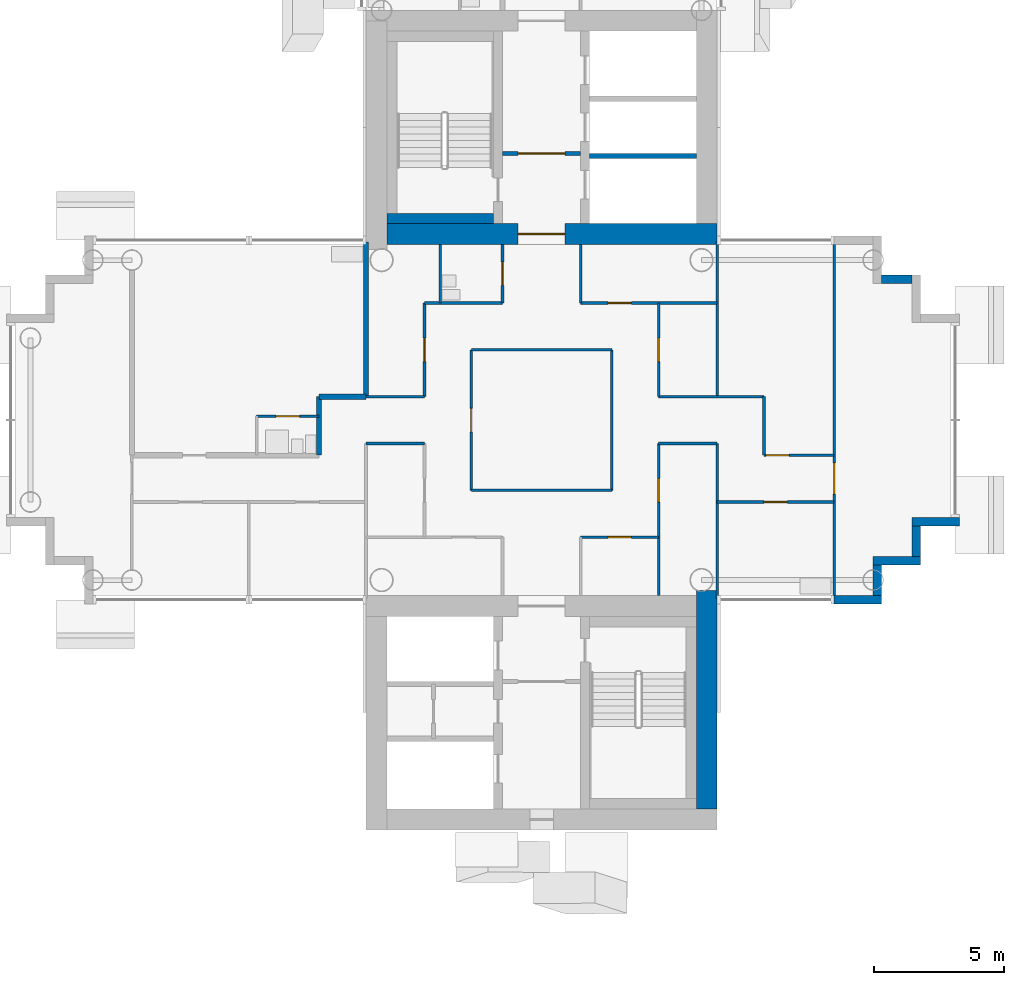
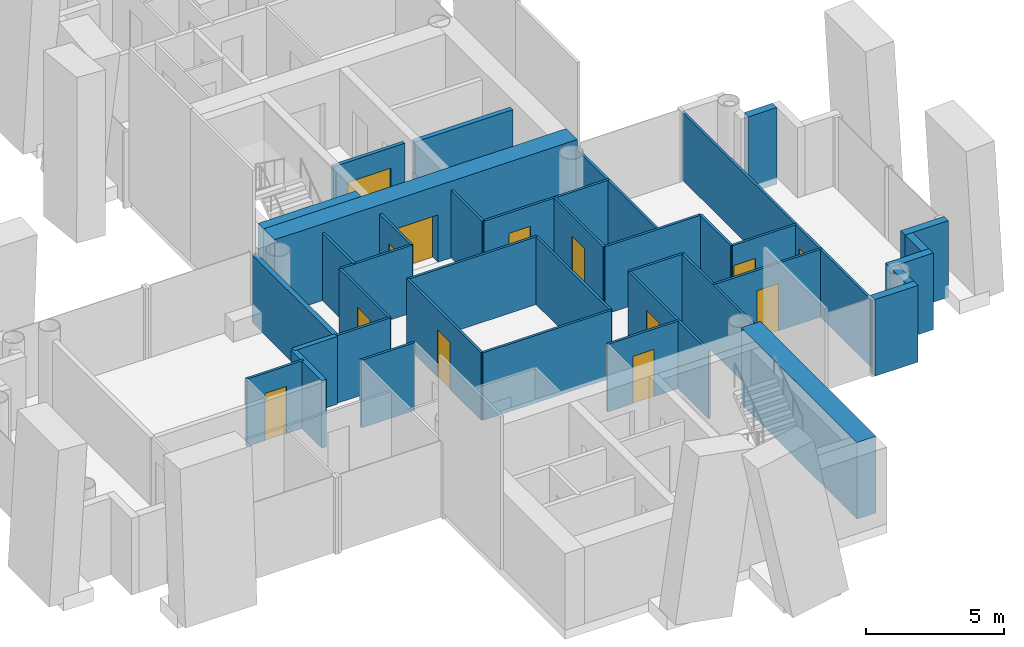
# One storey, part 10 of 18: 38 walls, 13 doors, 13 openings.
"""IFC4 building model written with IfcOpenShell, lengths in metres."""

import ifcopenshell
import ifcopenshell.guid

model = None  # the IFC model being written
_history = None  # IfcOwnerHistory: only IFC2X3 demands one
_inside = {}  # id of a spatial element -> (the spatial element, [elements in it])
_under = {}  # id of a project, library or spatial element -> (it, [spatial elements below it])
_declared = {}  # id of a project -> (the project, [libraries it declares])
_typed = {}  # id of a type object -> (the type object, [elements of that type])
_made_of = {}  # id of a material, layer set ... -> (it, [elements and type objects made of it])


def new_model(schema):
    """Start an empty IFC model of exactly this schema.

    Asked for "IFC4X3", IfcOpenShell would pick the latest addendum, in which some entities
    have other attributes; the version numbers below select the first issue.
    IFC2X3 requires an IfcOwnerHistory on every rooted entity: one is made here for all.
    """
    global model, _history
    if schema == "IFC4X3":
        model = ifcopenshell.file(schema_version=(4, 3, 0, 0))
    else:
        model = ifcopenshell.file(schema=schema)
    _inside.clear()
    _under.clear()
    _declared.clear()
    _typed.clear()
    _made_of.clear()
    _history = None
    if model.schema == "IFC2X3":
        org = make("IfcOrganization", Name="unknown")
        user = make(
            "IfcPersonAndOrganization",
            ThePerson=make("IfcPerson", FamilyName="unknown"),
            TheOrganization=org,
        )
        app = make(
            "IfcApplication",
            ApplicationDeveloper=org,
            Version="unknown",
            ApplicationFullName="unknown",
            ApplicationIdentifier="unknown",
        )
        _history = make(
            "IfcOwnerHistory",
            OwningUser=user,
            OwningApplication=app,
            ChangeAction="ADDED",
            CreationDate=0,
        )
    return model


def make(cls, **values):
    """One entity of the class cls with the attributes given. An attribute that is None is left unset."""
    return model.create_entity(
        cls, **{name: value for name, value in values.items() if value is not None}
    )


def rooted(cls, **values):
    """An entity with a GlobalId (a new one), such as an element, a storey or a relation."""
    return make(cls, GlobalId=ifcopenshell.guid.new(), OwnerHistory=_history, **values)


def si_unit(unit_type, name, prefix=None):
    """IfcSIUnit, for example si_unit("LENGTHUNIT", "METRE", prefix="MILLI")."""
    return make("IfcSIUnit", UnitType=unit_type, Prefix=prefix, Name=name)


def assignment(units):
    """IfcUnitAssignment: the units of a project."""
    return None if units is None else make("IfcUnitAssignment", Units=units)


def point(xyz):
    """IfcCartesianPoint."""
    return None if xyz is None else make("IfcCartesianPoint", Coordinates=xyz)


def direction(xyz):
    """IfcDirection."""
    return None if xyz is None else make("IfcDirection", DirectionRatios=xyz)


def frame(location, z_axis=None, x_axis=None):
    """IfcAxis2Placement3D, a coordinate frame: its origin and axes. An axis left out is left unset."""
    return make(
        "IfcAxis2Placement3D",
        Location=point(location),
        Axis=direction(z_axis),
        RefDirection=direction(x_axis),
    )


def frame_2d(location, x_axis=None):
    """IfcAxis2Placement2D, a coordinate frame in the plane: its origin and x axis."""
    return make(
        "IfcAxis2Placement2D", Location=point(location), RefDirection=direction(x_axis)
    )


def origin():
    """The frame at (0, 0, 0) with its axes left unset."""
    return frame((0.0, 0.0, 0.0))


def place(relative_to, where):
    """IfcLocalPlacement: puts the frame where relative to a parent placement (None: the world)."""
    return make(
        "IfcLocalPlacement", PlacementRelTo=relative_to, RelativePlacement=where
    )


def context(
    kind, dimensions, precision=None, world=None, true_north=None, identifier=None
):
    """IfcGeometricRepresentationContext, for example the 3D "Model" context."""
    return make(
        "IfcGeometricRepresentationContext",
        ContextIdentifier=identifier,
        ContextType=kind,
        CoordinateSpaceDimension=dimensions,
        Precision=precision,
        WorldCoordinateSystem=world,
        TrueNorth=true_north,
    )


def subcontext(parent, identifier, kind, view, scale=None):
    """IfcGeometricRepresentationSubContext, for example "Body" below "Model"."""
    return make(
        "IfcGeometricRepresentationSubContext",
        ContextIdentifier=identifier,
        ContextType=kind,
        ParentContext=parent,
        TargetScale=scale,
        TargetView=view,
    )


def project(units=None, contexts=None):
    """IfcProject with its units and contexts."""
    return rooted(
        "IfcProject",
        Name="project",
        RepresentationContexts=contexts,
        UnitsInContext=assignment(units),
    )


def spatial(cls, under=None, at=None, **own):
    """A site, building, storey or space (cls), placed at a placement, below another one or the project."""
    s = rooted(cls, ObjectPlacement=at, **own)
    if under is not None:
        _under.setdefault(under.id(), (under, []))[1].append(s)
    return s


def profile(cls, at=None, kind="AREA", **sizes):
    """A parametric profile (cls). Its sizes go by their IFC names, for example OverallWidth=200.0."""
    return make(cls, ProfileType=kind, Position=at, **sizes)


def rectangle(**sizes):
    """IfcRectangleProfileDef."""
    return profile("IfcRectangleProfileDef", **sizes)


def extrude(swept, where, along, depth):
    """IfcExtrudedAreaSolid: the profile swept, set in the frame where, extruded along a direction by depth."""
    return make(
        "IfcExtrudedAreaSolid",
        SweptArea=swept,
        Position=where,
        ExtrudedDirection=direction(along),
        Depth=depth,
    )


def shape(context_of_items, identifier, shape_type, items):
    """IfcShapeRepresentation: the items that make up one representation, for example the "Body"."""
    return make(
        "IfcShapeRepresentation",
        ContextOfItems=context_of_items,
        RepresentationIdentifier=identifier,
        RepresentationType=shape_type,
        Items=items,
    )


def material(Name=None, Category=None):
    """IfcMaterial."""
    return make("IfcMaterial", Name=Name, Category=Category)


def layer(
    of_material, thickness, ventilated=None, Name=None, Category=None, Priority=None
):
    """IfcMaterialLayer: one layer of a wall or slab, of a material (None: an air gap)."""
    return make(
        "IfcMaterialLayer",
        Material=of_material,
        LayerThickness=thickness,
        IsVentilated=ventilated,
        Name=Name,
        Category=Category,
        Priority=Priority,
    )


def layer_set(layers, Name=None):
    """IfcMaterialLayerSet."""
    return make("IfcMaterialLayerSet", MaterialLayers=layers, LayerSetName=Name)


def made_of(thing, what):
    """Note that an element or type object is made of a material, layer set ...; save() writes the relation."""
    if what is not None:
        _made_of.setdefault(what.id(), (what, []))[1].append(thing)
    return thing


def type_object(cls, material=None, **own):
    """A type object (cls), such as IfcWallType, which elements share."""
    return made_of(rooted(cls, **own), material)


def element(
    cls,
    number,
    at=None,
    inside=None,
    cuts=None,
    type_object=None,
    material=None,
    context=None,
    identifier="Body",
    shape_type=None,
    held_by="IfcProductDefinitionShape",
    body=None,
    shapes=None,
    **own,
):
    """One element of the class cls, such as IfcWall. Its Tag is "e" and its number.

    at: its placement. inside: the storey or other place that contains it. cuts: it is an
    opening in that element (IfcRelVoidsElement). A single representation is given by context,
    identifier, shape_type and body (its items); several are given by shapes. held_by: the class
    of the entity that holds the representations. save() writes the other relations.
    """
    e = rooted(cls, Tag="e%d" % number, ObjectPlacement=at, **own)
    if body is not None:
        shapes = [shape(context, identifier, shape_type, body)]
    if shapes is not None:
        e.Representation = make(held_by, Representations=shapes)
    if inside is not None:
        _inside.setdefault(inside.id(), (inside, []))[1].append(e)
    if cuts is not None:
        rooted(
            "IfcRelVoidsElement", RelatingBuildingElement=cuts, RelatedOpeningElement=e
        )
    if type_object is not None:
        _typed.setdefault(type_object.id(), (type_object, []))[1].append(e)
    return made_of(e, material)


def fill(opening, filler):
    """IfcRelFillsElement: the door or window that sits in an opening."""
    return rooted(
        "IfcRelFillsElement",
        RelatingOpeningElement=opening,
        RelatedBuildingElement=filler,
    )


def aggregate(whole, parts):
    """IfcRelAggregates: a whole, such as a stair, and the parts it consists of."""
    return rooted("IfcRelAggregates", RelatingObject=whole, RelatedObjects=parts)


def save(model, path):
    """Write the relations noted so far, then the file.

    IfcRelAggregates (storeys below a building ...), IfcRelContainedInSpatialStructure (elements
    in a storey), IfcRelDefinesByType, IfcRelAssociatesMaterial and IfcRelDeclares: one each for
    every whole, place, type object, material and project.
    """
    for whole, parts in _under.values():
        aggregate(whole, parts)
    for where, things in _inside.values():
        rooted(
            "IfcRelContainedInSpatialStructure",
            RelatedElements=things,
            RelatingStructure=where,
        )
    for kind, things in _typed.values():
        rooted("IfcRelDefinesByType", RelatedObjects=things, RelatingType=kind)
    for what, things in _made_of.values():
        rooted("IfcRelAssociatesMaterial", RelatedObjects=things, RelatingMaterial=what)
    for by, libraries in _declared.values():
        rooted("IfcRelDeclares", RelatingContext=by, RelatedDefinitions=libraries)
    model.write(path)


model = new_model("IFC4")

# Units and contexts
model_context = context("Model", 3, precision=1e-05, world=origin(), true_north=direction((0.0, 1.0)))
body_context = subcontext(model_context, "Body", "Model", "MODEL_VIEW")
ifc_project = project(units=[si_unit("LENGTHUNIT", "METRE"), si_unit("AREAUNIT", "SQUARE_METRE"), si_unit("VOLUMEUNIT", "CUBIC_METRE"), si_unit("PLANEANGLEUNIT", "RADIAN"), si_unit("MASSUNIT", "GRAM", prefix="KILO")], contexts=[model_context])

# Site, building, storey
site_placement = place(None, origin())
site = spatial("IfcSite", under=ifc_project, at=site_placement, CompositionType="ELEMENT")
building_placement = place(site_placement, origin())
building = spatial("IfcBuilding", under=site, at=building_placement, Name="Ipe Terrace Towers", CompositionType="ELEMENT")
storey_placement = place(building_placement, frame((0.0, 0.0, 143.89990234375)))
storey = spatial("IfcBuildingStorey", under=building, at=storey_placement, Name="L39", CompositionType="ELEMENT", Elevation=143.89990234375)

# Walls
ifc_material_1 = material(Name="Concrete C40/50 with buff precast cladding", Category="concrete")
ifc_layer_1 = layer(ifc_material_1, 0.320068359375)
ifc_layer_set_1 = layer_set([ifc_layer_1], Name="BUFF CLADDING WALL 320")
wall_type_1 = type_object("IfcWallType", Name="BUFF CLADDING WALL 320", PredefinedType="STANDARD", material=ifc_layer_set_1)
wall_1_placement = place(storey_placement, frame((47.25, -6.909912109375, -0.2998046875), z_axis=(0.0, 0.0, 1.0), x_axis=(1.0, 0.0, 0.0)))
element("IfcWall", 1, at=wall_1_placement, inside=storey, type_object=wall_type_1, Name="T2-W-L39-03a wall", PredefinedType="STANDARD", context=body_context, shape_type="SweptSolid", body=[
    extrude(rectangle(XDim=1.820068359375, YDim=0.320068359375, at=frame_2d((0.91015625, 0.0))), origin(), (0.0, 0.0, 1.0), 3.39990234375),
])
wall_2_placement = place(storey_placement, frame((48.909912109375, -6.75, -0.2998046875), z_axis=(0.0, 0.0, 1.0), x_axis=(0.0, 1.0, 0.0)))
element("IfcWall", 2, at=wall_2_placement, inside=storey, type_object=wall_type_1, Name="T2-W-L39-04a wall", PredefinedType="STANDARD", context=body_context, shape_type="SweptSolid", body=[
    extrude(rectangle(XDim=1.179931640625, YDim=0.320068359375, at=frame_2d((0.58984375, 0.0))), origin(), (0.0, 0.0, 1.0), 3.39990234375),
])
wall_3_placement = place(storey_placement, frame((48.75, -5.409912109375, -0.2998046875), z_axis=(0.0, 0.0, 1.0), x_axis=(1.0, 0.0, 0.0)))
element("IfcWall", 3, at=wall_3_placement, inside=storey, type_object=wall_type_1, Name="T2-W-L39-05a wall", PredefinedType="STANDARD", context=body_context, shape_type="SweptSolid", body=[
    extrude(rectangle(XDim=1.820068359375, YDim=0.320068359375, at=frame_2d((0.91015625, 0.0))), origin(), (0.0, 0.0, 1.0), 3.39990234375),
])
wall_4_placement = place(storey_placement, frame((50.409912109375, -5.25, -0.2998046875), z_axis=(0.0, 0.0, 1.0), x_axis=(0.0, 1.0, 0.0)))
element("IfcWall", 4, at=wall_4_placement, inside=storey, type_object=wall_type_1, Name="T2-W-L39-06a wall", PredefinedType="STANDARD", context=body_context, shape_type="SweptSolid", body=[
    extrude(rectangle(XDim=1.179931640625, YDim=0.320068359375, at=frame_2d((0.58984375, 0.0))), origin(), (0.0, 0.0, 1.0), 3.39990234375),
])
wall_5_placement = place(storey_placement, frame((50.25, -3.909912109375, -0.2998046875), z_axis=(0.0, 0.0, 1.0), x_axis=(1.0, 0.0, 0.0)))
element("IfcWall", 5, at=wall_5_placement, inside=storey, type_object=wall_type_1, Name="T2-W-L39-07a wall", PredefinedType="STANDARD", context=body_context, shape_type="SweptSolid", body=[
    extrude(rectangle(XDim=1.820068359375, YDim=0.320068359375, at=frame_2d((0.91015625, 0.0))), origin(), (0.0, 0.0, 1.0), 3.39990234375),
])
wall_6_placement = place(storey_placement, frame((50.25, 5.409912109375, -0.2998046875), z_axis=(0.0, 0.0, 1.0), x_axis=(-1.0, 0.0, 0.0)))
element("IfcWall", 6, at=wall_6_placement, inside=storey, type_object=wall_type_1, Name="T2-W-L39-11a wall", PredefinedType="STANDARD", context=body_context, shape_type="SweptSolid", body=[
    extrude(rectangle(XDim=1.179931640625, YDim=0.320068359375, at=frame_2d((0.58984375, 0.0))), origin(), (0.0, 0.0, 1.0), 3.39990234375),
])

# Wall, opening, door
ifc_material_2 = material(Name="Gypsum board partition", Category="plasterboard")
ifc_layer_2 = layer(ifc_material_2, 0.10009765625)
ifc_layer_set_2 = layer_set([ifc_layer_2], Name="Gypsum board partition 100 mm")
wall_type_2 = type_object("IfcWallType", Name="Gypsum board partition 100 mm", PredefinedType="PARTITIONING", material=ifc_layer_set_2)
wall_7_placement = place(storey_placement, frame((40.5, -4.5, 0.0), z_axis=(0.0, 0.0, 1.0), x_axis=(-1.0, 0.0, 0.0)))
wall_7 = element("IfcWall", 7, at=wall_7_placement, inside=storey, type_object=wall_type_2, Name="Gypsum board partition T2 L39 W01", PredefinedType="PARTITIONING", context=body_context, shape_type="SweptSolid", body=[
    extrude(rectangle(XDim=3.0, YDim=0.10009765625, at=frame_2d((1.5, 0.0))), origin(), (0.0, 0.0, 1.0), 3.0),
])
opening_1_placement = place(wall_7_placement, frame((1.050048828125, 0.0, 0.0)))
opening_1 = element("IfcOpeningElement", 8, at=opening_1_placement, cuts=wall_7, Name="Opening T2-Z3B-07", PredefinedType="OPENING", context=body_context, shape_type="SweptSolid", body=[
    extrude(rectangle(XDim=0.89990234375, YDim=2.10009765625, at=frame_2d((0.449951171875, 1.050048828125))), frame((0.0, 0.06005859375, 0.0), z_axis=(0.0, -1.0, 0.0), x_axis=(1.0, 0.0, 0.0)), (0.0, 0.0, 1.0), 0.1201171875),
])
ifc_material_3 = material(Name="Timber door leaf", Category="wood")
door_type_1 = type_object("IfcDoorType", Name="Lounge door 900 x 2100", OperationType="NOTDEFINED", PredefinedType="DOOR", material=ifc_material_3)
door_1_placement = place(opening_1_placement, origin())
door_1 = element("IfcDoor", 9, at=door_1_placement, inside=storey, type_object=door_type_1, Name="Lounge door T2-Z3B-07", OperationType="SINGLE_SWING_LEFT", OverallHeight=2.10009765625, OverallWidth=0.89990234375, PredefinedType="DOOR", context=body_context, shape_type="SweptSolid", body=[
    extrude(rectangle(XDim=0.89990234375, YDim=2.10009765625, at=frame_2d((0.449951171875, 1.050048828125))), frame((0.0, 0.02490234375, 0.0), z_axis=(0.0, -1.0, 0.0), x_axis=(1.0, 0.0, 0.0)), (0.0, 0.0, 1.0), 0.050048828125),
])
fill(opening_1, door_1)

wall_8_placement = place(storey_placement, frame((47.25, -3.14990234375, 0.0), z_axis=(0.0, 0.0, 1.0), x_axis=(-1.0, 0.0, 0.0)))
wall_8 = element("IfcWall", 10, at=wall_8_placement, inside=storey, type_object=wall_type_2, Name="Gypsum board partition T2 L39 W03", PredefinedType="PARTITIONING", context=body_context, shape_type="SweptSolid", body=[
    extrude(rectangle(XDim=4.5, YDim=0.10009765625, at=frame_2d((2.25, 0.0))), origin(), (0.0, 0.0, 1.0), 3.0),
])
opening_2_placement = place(wall_8_placement, frame((1.800048828125, 0.0, 0.0)))
opening_2 = element("IfcOpeningElement", 11, at=opening_2_placement, cuts=wall_8, Name="Opening T2-Z3B-16", PredefinedType="OPENING", context=body_context, shape_type="SweptSolid", body=[
    extrude(rectangle(XDim=0.89990234375, YDim=2.10009765625, at=frame_2d((0.449951171875, 1.050048828125))), frame((0.0, 0.06005859375, 0.0), z_axis=(0.0, -1.0, 0.0), x_axis=(1.0, 0.0, 0.0)), (0.0, 0.0, 1.0), 0.1201171875),
])
door_2_placement = place(opening_2_placement, origin())
door_2 = element("IfcDoor", 12, at=door_2_placement, inside=storey, type_object=door_type_1, Name="Lounge door T2-Z3B-16", OperationType="SINGLE_SWING_LEFT", OverallHeight=2.10009765625, OverallWidth=0.89990234375, PredefinedType="DOOR", context=body_context, shape_type="SweptSolid", body=[
    extrude(rectangle(XDim=0.89990234375, YDim=2.10009765625, at=frame_2d((0.449951171875, 1.050048828125))), frame((0.0, 0.02490234375, 0.0), z_axis=(0.0, -1.0, 0.0), x_axis=(1.0, 0.0, 0.0)), (0.0, 0.0, 1.0), 0.050048828125),
])
fill(opening_2, door_2)

# Wall
wall_9_placement = place(storey_placement, frame((38.699951171875, -2.699951171875, 0.0), z_axis=(0.0, 0.0, 1.0), x_axis=(-1.0, 0.0, 0.0)))
element("IfcWall", 13, at=wall_9_placement, inside=storey, type_object=wall_type_2, Name="Gypsum board partition T2 L39 W05", PredefinedType="PARTITIONING", context=body_context, shape_type="SweptSolid", body=[
    extrude(rectangle(XDim=5.39990234375, YDim=0.10009765625, at=frame_2d((2.699951171875, 0.0))), origin(), (0.0, 0.0, 1.0), 3.0),
])

# Wall, opening, door
wall_10_placement = place(storey_placement, frame((47.25, -1.35009765625, 0.0), z_axis=(0.0, 0.0, 1.0), x_axis=(-1.0, 0.0, 0.0)))
wall_10 = element("IfcWall", 14, at=wall_10_placement, inside=storey, type_object=wall_type_2, Name="Gypsum board partition T2 L39 W06", PredefinedType="PARTITIONING", context=body_context, shape_type="SweptSolid", body=[
    extrude(rectangle(XDim=2.699951171875, YDim=0.10009765625, at=frame_2d((1.35009765625, 0.0))), origin(), (0.0, 0.0, 1.0), 3.0),
])
opening_3_placement = place(wall_10_placement, frame((1.72998046875, 0.0, 0.0)))
opening_3 = element("IfcOpeningElement", 15, at=opening_3_placement, cuts=wall_10, Name="Opening T2-Z3B-15", PredefinedType="OPENING", context=body_context, shape_type="SweptSolid", body=[
    extrude(rectangle(XDim=0.89990234375, YDim=2.10009765625, at=frame_2d((0.449951171875, 1.050048828125))), frame((0.0, 0.06005859375, 0.0), z_axis=(0.0, -1.0, 0.0), x_axis=(1.0, 0.0, 0.0)), (0.0, 0.0, 1.0), 0.1201171875),
])
door_3_placement = place(opening_3_placement, origin())
door_3 = element("IfcDoor", 16, at=door_3_placement, inside=storey, type_object=door_type_1, Name="Lounge door T2-Z3B-15", OperationType="SINGLE_SWING_RIGHT", OverallHeight=2.10009765625, OverallWidth=0.89990234375, PredefinedType="DOOR", context=body_context, shape_type="SweptSolid", body=[
    extrude(rectangle(XDim=0.89990234375, YDim=2.10009765625, at=frame_2d((0.449951171875, 1.050048828125))), frame((0.0, 0.02490234375, 0.0), z_axis=(0.0, -1.0, 0.0), x_axis=(1.0, 0.0, 0.0)), (0.0, 0.0, 1.0), 0.050048828125),
])
fill(opening_3, door_3)

# Walls
for number, where, z_axis, x_axis, name in (
    (17, (42.75, -0.89990234375, 0.0), (0.0, 0.0, 1.0), (-1.0, 0.0, 0.0), "Gypsum board partition T2 L39 W08"),
    (18, (31.5, -0.89990234375, 0.0), (0.0, 0.0, 1.0), (-1.0, 0.0, 0.0), "Gypsum board partition T2 L39 W09"),
):
    element("IfcWall", number, at=place(storey_placement, frame(where, z_axis=z_axis, x_axis=x_axis)), inside=storey, type_object=wall_type_2, Name=name, PredefinedType="PARTITIONING", context=body_context, shape_type="SweptSolid", body=[
        extrude(rectangle(XDim=2.25, YDim=0.10009765625, at=frame_2d((1.125, 0.0))), origin(), (0.0, 0.0, 1.0), 3.0),
    ])

# Wall, opening, door
wall_11_placement = place(storey_placement, frame((27.449951171875, 0.14990234375, 0.0), z_axis=(0.0, 0.0, 1.0), x_axis=(-1.0, 0.0, 0.0)))
wall_11 = element("IfcWall", 19, at=wall_11_placement, inside=storey, type_object=wall_type_2, Name="Gypsum board partition T2 L39 W10", PredefinedType="PARTITIONING", context=body_context, shape_type="SweptSolid", body=[
    extrude(rectangle(XDim=2.39990234375, YDim=0.10009765625, at=frame_2d((1.199951171875, 0.0))), origin(), (0.0, 0.0, 1.0), 3.0),
])
opening_4_placement = place(wall_11_placement, frame((0.75, 0.0, 0.0)))
opening_4 = element("IfcOpeningElement", 20, at=opening_4_placement, cuts=wall_11, Name="Opening T2-Z3B-13", PredefinedType="OPENING", context=body_context, shape_type="SweptSolid", body=[
    extrude(rectangle(XDim=0.89990234375, YDim=2.10009765625, at=frame_2d((0.449951171875, 1.050048828125))), frame((0.0, 0.06005859375, 0.0), z_axis=(0.0, -1.0, 0.0), x_axis=(1.0, 0.0, 0.0)), (0.0, 0.0, 1.0), 0.1201171875),
])
ifc_material_4 = material(Name="Timber door leaf", Category="wood")
door_type_2 = type_object("IfcDoorType", Name="Bathroom door 900 x 2100", OperationType="NOTDEFINED", PredefinedType="DOOR", material=ifc_material_4)
door_4_placement = place(opening_4_placement, origin())
door_4 = element("IfcDoor", 21, at=door_4_placement, inside=storey, type_object=door_type_2, Name="Bathroom door T2-Z3B-13", OperationType="SINGLE_SWING_LEFT", OverallHeight=2.10009765625, OverallWidth=0.89990234375, PredefinedType="DOOR", context=body_context, shape_type="SweptSolid", body=[
    extrude(rectangle(XDim=0.89990234375, YDim=2.10009765625, at=frame_2d((0.449951171875, 1.050048828125))), frame((0.0, 0.02490234375, 0.0), z_axis=(0.0, -1.0, 0.0), x_axis=(1.0, 0.0, 0.0)), (0.0, 0.0, 1.0), 0.050048828125),
])
fill(opening_4, door_4)

# Walls
wall_12_placement = place(storey_placement, frame((44.550048828125, 0.89990234375, 0.0), z_axis=(0.0, 0.0, 1.0), x_axis=(-1.0, 0.0, 0.0)))
element("IfcWall", 22, at=wall_12_placement, inside=storey, type_object=wall_type_2, Name="Gypsum board partition T2 L39 W11", PredefinedType="PARTITIONING", context=body_context, shape_type="SweptSolid", body=[
    extrude(rectangle(XDim=4.050048828125, YDim=0.10009765625, at=frame_2d((2.02490234375, 0.0))), origin(), (0.0, 0.0, 1.0), 3.0),
])
wall_13_placement = place(storey_placement, frame((31.5, 0.89990234375, 0.0), z_axis=(0.0, 0.0, 1.0), x_axis=(-1.0, 0.0, 0.0)))
element("IfcWall", 23, at=wall_13_placement, inside=storey, type_object=wall_type_2, Name="Gypsum board partition T2 L39 W12", PredefinedType="PARTITIONING", context=body_context, shape_type="SweptSolid", body=[
    extrude(rectangle(XDim=2.25, YDim=0.10009765625, at=frame_2d((1.125, 0.0))), origin(), (0.0, 0.0, 1.0), 3.0),
])
wall_14_placement = place(storey_placement, frame((38.699951171875, 2.699951171875, 0.0), z_axis=(0.0, 0.0, 1.0), x_axis=(-1.0, 0.0, 0.0)))
element("IfcWall", 24, at=wall_14_placement, inside=storey, type_object=wall_type_2, Name="Gypsum board partition T2 L39 W14", PredefinedType="PARTITIONING", context=body_context, shape_type="SweptSolid", body=[
    extrude(rectangle(XDim=5.39990234375, YDim=0.10009765625, at=frame_2d((2.699951171875, 0.0))), origin(), (0.0, 0.0, 1.0), 3.0),
])

# Wall, opening, door
wall_15_placement = place(storey_placement, frame((42.75, 4.5, 0.0), z_axis=(0.0, 0.0, 1.0), x_axis=(-1.0, 0.0, 0.0)))
wall_15 = element("IfcWall", 25, at=wall_15_placement, inside=storey, type_object=wall_type_2, Name="Gypsum board partition T2 L39 W15", PredefinedType="PARTITIONING", context=body_context, shape_type="SweptSolid", body=[
    extrude(rectangle(XDim=5.25, YDim=0.10009765625, at=frame_2d((2.625, 0.0))), origin(), (0.0, 0.0, 1.0), 3.0),
])
opening_5_placement = place(wall_15_placement, frame((3.300048828125, 0.0, 0.0)))
opening_5 = element("IfcOpeningElement", 26, at=opening_5_placement, cuts=wall_15, Name="Opening T2-Z3B-09", PredefinedType="OPENING", context=body_context, shape_type="SweptSolid", body=[
    extrude(rectangle(XDim=0.89990234375, YDim=2.10009765625, at=frame_2d((0.449951171875, 1.050048828125))), frame((0.0, 0.06005859375, 0.0), z_axis=(0.0, -1.0, 0.0), x_axis=(1.0, 0.0, 0.0)), (0.0, 0.0, 1.0), 0.1201171875),
])
door_5_placement = place(opening_5_placement, origin())
door_5 = element("IfcDoor", 27, at=door_5_placement, inside=storey, type_object=door_type_1, Name="Lounge door T2-Z3B-09", OperationType="SINGLE_SWING_RIGHT", OverallHeight=2.10009765625, OverallWidth=0.89990234375, PredefinedType="DOOR", context=body_context, shape_type="SweptSolid", body=[
    extrude(rectangle(XDim=0.89990234375, YDim=2.10009765625, at=frame_2d((0.449951171875, 1.050048828125))), frame((0.0, 0.02490234375, 0.0), z_axis=(0.0, -1.0, 0.0), x_axis=(1.0, 0.0, 0.0)), (0.0, 0.0, 1.0), 0.050048828125),
])
fill(opening_5, door_5)

# Wall
wall_16_placement = place(storey_placement, frame((34.5, 4.5, 0.0), z_axis=(0.0, 0.0, 1.0), x_axis=(-1.0, 0.0, 0.0)))
element("IfcWall", 28, at=wall_16_placement, inside=storey, type_object=wall_type_2, Name="Gypsum board partition T2 L39 W16", PredefinedType="PARTITIONING", context=body_context, shape_type="SweptSolid", body=[
    extrude(rectangle(XDim=3.0, YDim=0.10009765625, at=frame_2d((1.5, 0.0))), origin(), (0.0, 0.0, 1.0), 3.0),
])

# Wall, opening, door
wall_17_placement = place(storey_placement, frame((47.25, -6.85009765625, 0.0), z_axis=(0.0, 0.0, 1.0), x_axis=(0.0, 1.0, 0.0)))
wall_17 = element("IfcWall", 29, at=wall_17_placement, inside=storey, type_object=wall_type_2, Name="Gypsum board partition T2 L39 W20", PredefinedType="PARTITIONING", context=body_context, shape_type="SweptSolid", body=[
    extrude(rectangle(XDim=13.7001953125, YDim=0.10009765625, at=frame_2d((6.85009765625, 0.0))), origin(), (0.0, 0.0, 1.0), 3.0),
])
opening_6_placement = place(wall_17_placement, frame((4.0, 0.0, 0.0)))
opening_6 = element("IfcOpeningElement", 30, at=opening_6_placement, cuts=wall_17, Name="Opening T2-Z3B-17", PredefinedType="OPENING", context=body_context, shape_type="SweptSolid", body=[
    extrude(rectangle(XDim=1.199951171875, YDim=2.10009765625, at=frame_2d((0.60009765625, 1.050048828125))), frame((0.0, 0.06005859375, 0.0), z_axis=(0.0, -1.0, 0.0), x_axis=(1.0, 0.0, 0.0)), (0.0, 0.0, 1.0), 0.1201171875),
])
ifc_material_5 = material(Name="Timber door leaf", Category="wood")
door_type_3 = type_object("IfcDoorType", Name="Lounge door 1200 x 2100", OperationType="NOTDEFINED", PredefinedType="DOOR", material=ifc_material_5)
door_6_placement = place(opening_6_placement, origin())
door_6 = element("IfcDoor", 31, at=door_6_placement, inside=storey, type_object=door_type_3, Name="Lounge door T2-Z3B-17", OperationType="SINGLE_SWING_LEFT", OverallHeight=2.10009765625, OverallWidth=1.199951171875, PredefinedType="DOOR", context=body_context, shape_type="SweptSolid", body=[
    extrude(rectangle(XDim=1.199951171875, YDim=2.10009765625, at=frame_2d((0.60009765625, 1.050048828125))), frame((0.0, 0.02490234375, 0.0), z_axis=(0.0, -1.0, 0.0), x_axis=(1.0, 0.0, 0.0)), (0.0, 0.0, 1.0), 0.050048828125),
])
fill(opening_6, door_6)

# Walls
wall_18_placement = place(storey_placement, frame((44.550048828125, -1.35009765625, 0.0), z_axis=(0.0, 0.0, 1.0), x_axis=(0.0, 1.0, 0.0)))
element("IfcWall", 32, at=wall_18_placement, inside=storey, type_object=wall_type_2, Name="Gypsum board partition T2 L39 W21", PredefinedType="PARTITIONING", context=body_context, shape_type="SweptSolid", body=[
    extrude(rectangle(XDim=2.25, YDim=0.10009765625, at=frame_2d((1.125, 0.0))), origin(), (0.0, 0.0, 1.0), 3.0),
])
for number, where, z_axis, x_axis, name in (
    (33, (42.75, -6.85009765625, 0.0), (0.0, 0.0, 1.0), (0.0, 1.0, 0.0), "Gypsum board partition T2 L39 W22"),
    (34, (42.75, 0.89990234375, 0.0), (0.0, 0.0, 1.0), (0.0, 1.0, 0.0), "Gypsum board partition T2 L39 W23"),
):
    element("IfcWall", number, at=place(storey_placement, frame(where, z_axis=z_axis, x_axis=x_axis)), inside=storey, type_object=wall_type_2, Name=name, PredefinedType="PARTITIONING", context=body_context, shape_type="SweptSolid", body=[
        extrude(rectangle(XDim=5.9501953125, YDim=0.10009765625, at=frame_2d((2.97509765625, 0.0))), origin(), (0.0, 0.0, 1.0), 3.0),
    ])

# Wall, opening, door
wall_19_placement = place(storey_placement, frame((40.5, -6.75, 0.0), z_axis=(0.0, 0.0, 1.0), x_axis=(0.0, 1.0, 0.0)))
wall_19 = element("IfcWall", 35, at=wall_19_placement, inside=storey, type_object=wall_type_2, Name="Gypsum board partition T2 L39 W24", PredefinedType="PARTITIONING", context=body_context, shape_type="SweptSolid", body=[
    extrude(rectangle(XDim=5.85009765625, YDim=0.10009765625, at=frame_2d((2.925048828125, 0.0))), origin(), (0.0, 0.0, 1.0), 3.0),
])
opening_7_placement = place(wall_19_placement, frame((3.60009765625, 0.0, 0.0)))
opening_7 = element("IfcOpeningElement", 36, at=opening_7_placement, cuts=wall_19, Name="Opening T2-Z3B-06", PredefinedType="OPENING", context=body_context, shape_type="SweptSolid", body=[
    extrude(rectangle(XDim=0.89990234375, YDim=2.10009765625, at=frame_2d((0.449951171875, 1.050048828125))), frame((0.0, 0.06005859375, 0.0), z_axis=(0.0, -1.0, 0.0), x_axis=(1.0, 0.0, 0.0)), (0.0, 0.0, 1.0), 0.1201171875),
])
door_7_placement = place(opening_7_placement, origin())
door_7 = element("IfcDoor", 37, at=door_7_placement, inside=storey, type_object=door_type_1, Name="Lounge door T2-Z3B-06", OperationType="SINGLE_SWING_RIGHT", OverallHeight=2.10009765625, OverallWidth=0.89990234375, PredefinedType="DOOR", context=body_context, shape_type="SweptSolid", body=[
    extrude(rectangle(XDim=0.89990234375, YDim=2.10009765625, at=frame_2d((0.449951171875, 1.050048828125))), frame((0.0, 0.02490234375, 0.0), z_axis=(0.0, -1.0, 0.0), x_axis=(1.0, 0.0, 0.0)), (0.0, 0.0, 1.0), 0.050048828125),
])
fill(opening_7, door_7)

wall_20_placement = place(storey_placement, frame((40.5, 0.89990234375, 0.0), z_axis=(0.0, 0.0, 1.0), x_axis=(0.0, 1.0, 0.0)))
wall_20 = element("IfcWall", 38, at=wall_20_placement, inside=storey, type_object=wall_type_2, Name="Gypsum board partition T2 L39 W25", PredefinedType="PARTITIONING", context=body_context, shape_type="SweptSolid", body=[
    extrude(rectangle(XDim=3.60009765625, YDim=0.10009765625, at=frame_2d((1.800048828125, 0.0))), origin(), (0.0, 0.0, 1.0), 3.0),
])
opening_8_placement = place(wall_20_placement, frame((1.35009765625, 0.0, 0.0)))
opening_8 = element("IfcOpeningElement", 39, at=opening_8_placement, cuts=wall_20, Name="Opening T2-Z3B-08", PredefinedType="OPENING", context=body_context, shape_type="SweptSolid", body=[
    extrude(rectangle(XDim=0.89990234375, YDim=2.10009765625, at=frame_2d((0.449951171875, 1.050048828125))), frame((0.0, 0.06005859375, 0.0), z_axis=(0.0, -1.0, 0.0), x_axis=(1.0, 0.0, 0.0)), (0.0, 0.0, 1.0), 0.1201171875),
])
door_8_placement = place(opening_8_placement, origin())
door_8 = element("IfcDoor", 40, at=door_8_placement, inside=storey, type_object=door_type_1, Name="Lounge door T2-Z3B-08", OperationType="SINGLE_SWING_RIGHT", OverallHeight=2.10009765625, OverallWidth=0.89990234375, PredefinedType="DOOR", context=body_context, shape_type="SweptSolid", body=[
    extrude(rectangle(XDim=0.89990234375, YDim=2.10009765625, at=frame_2d((0.449951171875, 1.050048828125))), frame((0.0, 0.02490234375, 0.0), z_axis=(0.0, -1.0, 0.0), x_axis=(1.0, 0.0, 0.0)), (0.0, 0.0, 1.0), 0.050048828125),
])
fill(opening_8, door_8)

# Walls
wall_21_placement = place(storey_placement, frame((38.699951171875, -2.699951171875, 0.0), z_axis=(0.0, 0.0, 1.0), x_axis=(0.0, 1.0, 0.0)))
element("IfcWall", 41, at=wall_21_placement, inside=storey, type_object=wall_type_2, Name="Gypsum board partition T2 L39 W26", PredefinedType="PARTITIONING", context=body_context, shape_type="SweptSolid", body=[
    extrude(rectangle(XDim=5.39990234375, YDim=0.10009765625, at=frame_2d((2.699951171875, 0.0))), origin(), (0.0, 0.0, 1.0), 3.0),
])
wall_22_placement = place(storey_placement, frame((37.5, 4.5, 0.0), z_axis=(0.0, 0.0, 1.0), x_axis=(0.0, 1.0, 0.0)))
element("IfcWall", 42, at=wall_22_placement, inside=storey, type_object=wall_type_2, Name="Gypsum board partition T2 L39 W29", PredefinedType="PARTITIONING", context=body_context, shape_type="SweptSolid", body=[
    extrude(rectangle(XDim=2.25, YDim=0.10009765625, at=frame_2d((1.125, 0.0))), origin(), (0.0, 0.0, 1.0), 3.0),
])

# Wall, opening, door
wall_23_placement = place(storey_placement, frame((34.5, 4.5, 0.0), z_axis=(0.0, 0.0, 1.0), x_axis=(0.0, 1.0, 0.0)))
wall_23 = element("IfcWall", 43, at=wall_23_placement, inside=storey, type_object=wall_type_2, Name="Gypsum board partition T2 L39 W33", PredefinedType="PARTITIONING", context=body_context, shape_type="SweptSolid", body=[
    extrude(rectangle(XDim=2.25, YDim=0.10009765625, at=frame_2d((1.125, 0.0))), origin(), (0.0, 0.0, 1.0), 3.0),
])
opening_9_placement = place(wall_23_placement, frame((0.675048828125, 0.0, 0.0)))
opening_9 = element("IfcOpeningElement", 44, at=opening_9_placement, cuts=wall_23, Name="Opening T2-Z3B-02", PredefinedType="OPENING", context=body_context, shape_type="SweptSolid", body=[
    extrude(rectangle(XDim=0.89990234375, YDim=2.10009765625, at=frame_2d((0.449951171875, 1.050048828125))), frame((0.0, 0.06005859375, 0.0), z_axis=(0.0, -1.0, 0.0), x_axis=(1.0, 0.0, 0.0)), (0.0, 0.0, 1.0), 0.1201171875),
])
door_9_placement = place(opening_9_placement, origin())
door_9 = element("IfcDoor", 45, at=door_9_placement, inside=storey, type_object=door_type_2, Name="Bathroom door T2-Z3B-02", OperationType="SINGLE_SWING_LEFT", OverallHeight=2.10009765625, OverallWidth=0.89990234375, PredefinedType="DOOR", context=body_context, shape_type="SweptSolid", body=[
    extrude(rectangle(XDim=0.89990234375, YDim=2.10009765625, at=frame_2d((0.449951171875, 1.050048828125))), frame((0.0, 0.02490234375, 0.0), z_axis=(0.0, -1.0, 0.0), x_axis=(1.0, 0.0, 0.0)), (0.0, 0.0, 1.0), 0.050048828125),
])
fill(opening_9, door_9)

wall_24_placement = place(storey_placement, frame((33.300048828125, -2.699951171875, 0.0), z_axis=(0.0, 0.0, 1.0), x_axis=(0.0, 1.0, 0.0)))
wall_24 = element("IfcWall", 46, at=wall_24_placement, inside=storey, type_object=wall_type_2, Name="Gypsum board partition T2 L39 W36", PredefinedType="PARTITIONING", context=body_context, shape_type="SweptSolid", body=[
    extrude(rectangle(XDim=5.39990234375, YDim=0.10009765625, at=frame_2d((2.699951171875, 0.0))), origin(), (0.0, 0.0, 1.0), 3.0),
])
opening_10_placement = place(wall_24_placement, frame((2.25, 0.0, 0.0)))
opening_10 = element("IfcOpeningElement", 47, at=opening_10_placement, cuts=wall_24, Name="Opening T2-Z3B-01", PredefinedType="OPENING", context=body_context, shape_type="SweptSolid", body=[
    extrude(rectangle(XDim=0.89990234375, YDim=2.10009765625, at=frame_2d((0.449951171875, 1.050048828125))), frame((0.0, 0.06005859375, 0.0), z_axis=(0.0, -1.0, 0.0), x_axis=(1.0, 0.0, 0.0)), (0.0, 0.0, 1.0), 0.1201171875),
])
door_10_placement = place(opening_10_placement, origin())
door_10 = element("IfcDoor", 48, at=door_10_placement, inside=storey, type_object=door_type_1, Name="Lounge door T2-Z3B-01", OperationType="SINGLE_SWING_RIGHT", OverallHeight=2.10009765625, OverallWidth=0.89990234375, PredefinedType="DOOR", context=body_context, shape_type="SweptSolid", body=[
    extrude(rectangle(XDim=0.89990234375, YDim=2.10009765625, at=frame_2d((0.449951171875, 1.050048828125))), frame((0.0, 0.02490234375, 0.0), z_axis=(0.0, -1.0, 0.0), x_axis=(1.0, 0.0, 0.0)), (0.0, 0.0, 1.0), 0.050048828125),
])
fill(opening_10, door_10)

# Wall
wall_25_placement = place(storey_placement, frame((32.10009765625, 4.5, 0.0), z_axis=(0.0, 0.0, 1.0), x_axis=(0.0, 1.0, 0.0)))
element("IfcWall", 49, at=wall_25_placement, inside=storey, type_object=wall_type_2, Name="Gypsum board partition T2 L39 W38", PredefinedType="PARTITIONING", context=body_context, shape_type="SweptSolid", body=[
    extrude(rectangle(XDim=2.25, YDim=0.10009765625, at=frame_2d((1.125, 0.0))), origin(), (0.0, 0.0, 1.0), 3.0),
])

# Wall, opening, door
wall_26_placement = place(storey_placement, frame((31.5, 0.89990234375, 0.0), z_axis=(0.0, 0.0, 1.0), x_axis=(0.0, 1.0, 0.0)))
wall_26 = element("IfcWall", 50, at=wall_26_placement, inside=storey, type_object=wall_type_2, Name="Gypsum board partition T2 L39 W40", PredefinedType="PARTITIONING", context=body_context, shape_type="SweptSolid", body=[
    extrude(rectangle(XDim=3.60009765625, YDim=0.10009765625, at=frame_2d((1.800048828125, 0.0))), origin(), (0.0, 0.0, 1.0), 3.0),
])
opening_11_placement = place(wall_26_placement, frame((1.35009765625, 0.0, 0.0)))
opening_11 = element("IfcOpeningElement", 51, at=opening_11_placement, cuts=wall_26, Name="Opening T2-Z3B-03", PredefinedType="OPENING", context=body_context, shape_type="SweptSolid", body=[
    extrude(rectangle(XDim=0.89990234375, YDim=2.10009765625, at=frame_2d((0.449951171875, 1.050048828125))), frame((0.0, 0.06005859375, 0.0), z_axis=(0.0, -1.0, 0.0), x_axis=(1.0, 0.0, 0.0)), (0.0, 0.0, 1.0), 0.1201171875),
])
door_11_placement = place(opening_11_placement, origin())
door_11 = element("IfcDoor", 52, at=door_11_placement, inside=storey, type_object=door_type_1, Name="Lounge door T2-Z3B-03", OperationType="SINGLE_SWING_LEFT", OverallHeight=2.10009765625, OverallWidth=0.89990234375, PredefinedType="DOOR", context=body_context, shape_type="SweptSolid", body=[
    extrude(rectangle(XDim=0.89990234375, YDim=2.10009765625, at=frame_2d((0.449951171875, 1.050048828125))), frame((0.0, 0.02490234375, 0.0), z_axis=(0.0, -1.0, 0.0), x_axis=(1.0, 0.0, 0.0)), (0.0, 0.0, 1.0), 0.050048828125),
])
fill(opening_11, door_11)

ifc_material_6 = material(Name="Gypsum board partition", Category="plasterboard")
ifc_layer_3 = layer(ifc_material_6, 0.14990234375)
ifc_layer_set_3 = layer_set([ifc_layer_3], Name="Gypsum board partition 150 mm")
wall_type_3 = type_object("IfcWallType", Name="Gypsum board partition 150 mm", PredefinedType="PARTITIONING", material=ifc_layer_set_3)
wall_27_placement = place(storey_placement, frame((37.5, 10.25, 0.0), z_axis=(0.0, 0.0, 1.0), x_axis=(-1.0, 0.0, 0.0)))
wall_27 = element("IfcWall", 53, at=wall_27_placement, inside=storey, type_object=wall_type_3, Name="Gypsum board partition T2 L39 t2c1-lobby-wall", PredefinedType="PARTITIONING", context=body_context, shape_type="SweptSolid", body=[
    extrude(rectangle(XDim=3.0, YDim=0.14990234375, at=frame_2d((1.5, 0.0))), origin(), (0.0, 0.0, 1.0), 3.0),
])
opening_12_placement = place(wall_27_placement, frame((0.60009765625, 0.0, 0.0)))
opening_12 = element("IfcOpeningElement", 54, at=opening_12_placement, cuts=wall_27, Name="Opening T2C1-VD", PredefinedType="OPENING", context=body_context, shape_type="SweptSolid", body=[
    extrude(rectangle(XDim=1.800048828125, YDim=2.10009765625, at=frame_2d((0.89990234375, 1.050048828125))), frame((0.0, 0.0849609375, 0.0), z_axis=(0.0, -1.0, 0.0), x_axis=(1.0, 0.0, 0.0)), (0.0, 0.0, 1.0), 0.169921875),
])
ifc_material_7 = material(Name="Fire-rated timber door leaf", Category="wood")
door_type_4 = type_object("IfcDoorType", Name="Lobby door 1800 x 2100 FD60", OperationType="NOTDEFINED", PredefinedType="DOOR", material=ifc_material_7)
door_12_placement = place(opening_12_placement, origin())
door_12 = element("IfcDoor", 55, at=door_12_placement, inside=storey, type_object=door_type_4, Name="Lobby door T2C1-VD", OperationType="SINGLE_SWING_LEFT", OverallHeight=2.10009765625, OverallWidth=1.800048828125, PredefinedType="DOOR", context=body_context, shape_type="SweptSolid", body=[
    extrude(rectangle(XDim=1.800048828125, YDim=2.10009765625, at=frame_2d((0.89990234375, 1.050048828125))), frame((0.0, 0.02490234375, 0.0), z_axis=(0.0, -1.0, 0.0), x_axis=(1.0, 0.0, 0.0)), (0.0, 0.0, 1.0), 0.050048828125),
])
fill(opening_12, door_12)

# Walls
ifc_material_8 = material(Name="Gypsum board party wall", Category="plasterboard")
ifc_layer_4 = layer(ifc_material_8, 0.199951171875)
ifc_layer_set_4 = layer_set([ifc_layer_4], Name="Gypsum board party wall 200 mm")
wall_type_4 = type_object("IfcWallType", Name="Gypsum board party wall 200 mm", PredefinedType="SOLIDWALL", material=ifc_layer_set_4)
wall_28_placement = place(storey_placement, frame((41.949951171875, 10.14990234375, 0.0), z_axis=(0.0, 0.0, 1.0), x_axis=(-1.0, 0.0, 0.0)))
element("IfcWall", 56, at=wall_28_placement, inside=storey, type_object=wall_type_4, Name="Gypsum board party wall T2 L39 t2c1-shaft-div1", PredefinedType="SOLIDWALL", context=body_context, shape_type="SweptSolid", body=[
    extrude(rectangle(XDim=4.099853515625, YDim=0.199951171875, at=frame_2d((2.0498046875, 0.0))), origin(), (0.0, 0.0, 1.0), 3.0),
])
wall_29_placement = place(storey_placement, frame((29.25, 0.89990234375, 0.0), z_axis=(0.0, 0.0, 1.0), x_axis=(-1.0, 0.0, 0.0)))
element("IfcWall", 57, at=wall_29_placement, inside=storey, type_object=wall_type_4, Name="Gypsum board party wall T2 L39 W13", PredefinedType="SOLIDWALL", context=body_context, shape_type="SweptSolid", body=[
    extrude(rectangle(XDim=1.800048828125, YDim=0.199951171875, at=frame_2d((0.89990234375, 0.0))), origin(), (0.0, 0.0, 1.0), 3.0),
])
wall_30_placement = place(storey_placement, frame((29.25, 0.89990234375, 0.0), z_axis=(0.0, 0.0, 1.0), x_axis=(0.0, 1.0, 0.0)))
element("IfcWall", 58, at=wall_30_placement, inside=storey, type_object=wall_type_4, Name="Gypsum board party wall T2 L39 W42", PredefinedType="SOLIDWALL", context=body_context, shape_type="SweptSolid", body=[
    extrude(rectangle(XDim=5.9501953125, YDim=0.199951171875, at=frame_2d((2.97509765625, 0.0))), origin(), (0.0, 0.0, 1.0), 3.0),
])
wall_31_placement = place(storey_placement, frame((27.449951171875, -1.35009765625, 0.0), z_axis=(0.0, 0.0, 1.0), x_axis=(0.0, 1.0, 0.0)))
element("IfcWall", 59, at=wall_31_placement, inside=storey, type_object=wall_type_4, Name="Gypsum board party wall T2 L39 W43", PredefinedType="SOLIDWALL", context=body_context, shape_type="SweptSolid", body=[
    extrude(rectangle(XDim=2.25, YDim=0.199951171875, at=frame_2d((1.125, 0.0))), origin(), (0.0, 0.0, 1.0), 3.0),
])
ifc_material_9 = material(Name="Concrete C50/60", Category="concrete")
ifc_layer_5 = layer(ifc_material_9, 0.39990234375)
ifc_layer_set_5 = layer_set([ifc_layer_5], Name="RW400 CORE INFILL WALL 400 C50-60")
wall_type_5 = type_object("IfcWallType", Name="RW400 CORE INFILL WALL 400 C50-60", PredefinedType="SHEAR", material=ifc_layer_set_5)
wall_32_placement = place(storey_placement, frame((34.14990234375, 7.75, 0.0), z_axis=(0.0, 0.0, 1.0), x_axis=(-1.0, 0.0, 0.0)))
element("IfcWall", 60, at=wall_32_placement, inside=storey, type_object=wall_type_5, Name="Core infill wall T2-C1-near", PredefinedType="SHEAR", context=body_context, shape_type="SweptSolid", body=[
    extrude(rectangle(XDim=4.099853515625, YDim=0.39990234375, at=frame_2d((2.0498046875, 0.0))), origin(), (0.0, 0.0, 1.0), 3.400146484375),
])

# Wall, opening, door
ifc_material_10 = material(Name="Concrete C50/60", Category="concrete")
ifc_layer_6 = layer(ifc_material_10, 0.800048828125)
ifc_layer_set_6 = layer_set([ifc_layer_6], Name="RW800 CORE WALL 800 C50-60")
wall_type_6 = type_object("IfcWallType", Name="RW800 CORE WALL 800 C50-60", PredefinedType="SHEAR", material=ifc_layer_set_6)
wall_33_placement = place(storey_placement, frame((30.050048828125, 7.14990234375, 0.0), z_axis=(0.0, 0.0, 1.0), x_axis=(1.0, 0.0, 0.0)))
wall_33 = element("IfcWall", 61, at=wall_33_placement, inside=storey, type_object=wall_type_6, Name="Core wall T2-C1-Z3-W01", PredefinedType="SHEAR", context=body_context, shape_type="SweptSolid", body=[
    extrude(rectangle(XDim=12.699951171875, YDim=0.800048828125, at=frame_2d((6.35009765625, 0.0))), origin(), (0.0, 0.0, 1.0), 3.400146484375),
])
opening_13_placement = place(wall_33_placement, frame((5.050048828125, 0.0, 0.0)))
opening_13 = element("IfcOpeningElement", 62, at=opening_13_placement, cuts=wall_33, Name="Opening T2C1-ND", PredefinedType="OPENING", context=body_context, shape_type="SweptSolid", body=[
    extrude(rectangle(XDim=1.800048828125, YDim=2.10009765625, at=frame_2d((0.89990234375, 1.050048828125))), frame((0.0, 0.41015625, 0.0), z_axis=(0.0, -1.0, 0.0), x_axis=(1.0, 0.0, 0.0)), (0.0, 0.0, 1.0), 0.820068359375),
])
ifc_material_11 = material(Name="Fire-rated timber door leaf", Category="wood")
door_type_5 = type_object("IfcDoorType", Name="Fire door 1800 x 2100 FD30S", OperationType="NOTDEFINED", PredefinedType="DOOR", material=ifc_material_11)
door_13_placement = place(opening_13_placement, origin())
door_13 = element("IfcDoor", 63, at=door_13_placement, inside=storey, type_object=door_type_5, Name="Fire door T2C1-ND", OperationType="SINGLE_SWING_LEFT", OverallHeight=2.10009765625, OverallWidth=1.800048828125, PredefinedType="DOOR", context=body_context, shape_type="SweptSolid", body=[
    extrude(rectangle(XDim=1.800048828125, YDim=2.10009765625, at=frame_2d((0.89990234375, 1.050048828125))), frame((0.0, 0.02490234375, 0.0), z_axis=(0.0, -1.0, 0.0), x_axis=(1.0, 0.0, 0.0)), (0.0, 0.0, 1.0), 0.050048828125),
])
fill(opening_13, door_13)

# Wall
wall_34_placement = place(storey_placement, frame((42.35009765625, -14.949951171875, 0.0), z_axis=(0.0, 0.0, 1.0), x_axis=(0.0, 1.0, 0.0)))
element("IfcWall", 64, at=wall_34_placement, inside=storey, type_object=wall_type_6, Name="Core wall T2-C2-Z3-W02", PredefinedType="SHEAR", context=body_context, shape_type="SweptSolid", body=[
    extrude(rectangle(XDim=8.39794921875, YDim=0.800048828125, at=frame_2d((4.198974609375, 0.0))), origin(), (0.0, 0.0, 1.0), 3.400146484375),
])

save(model, "model.ifc")
